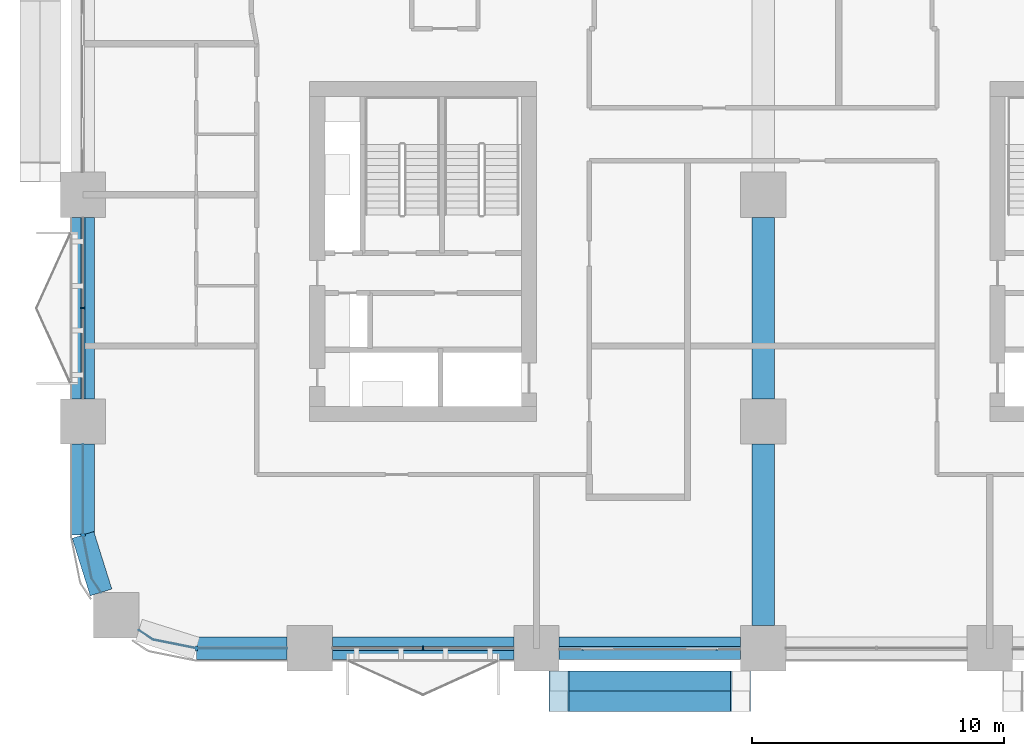
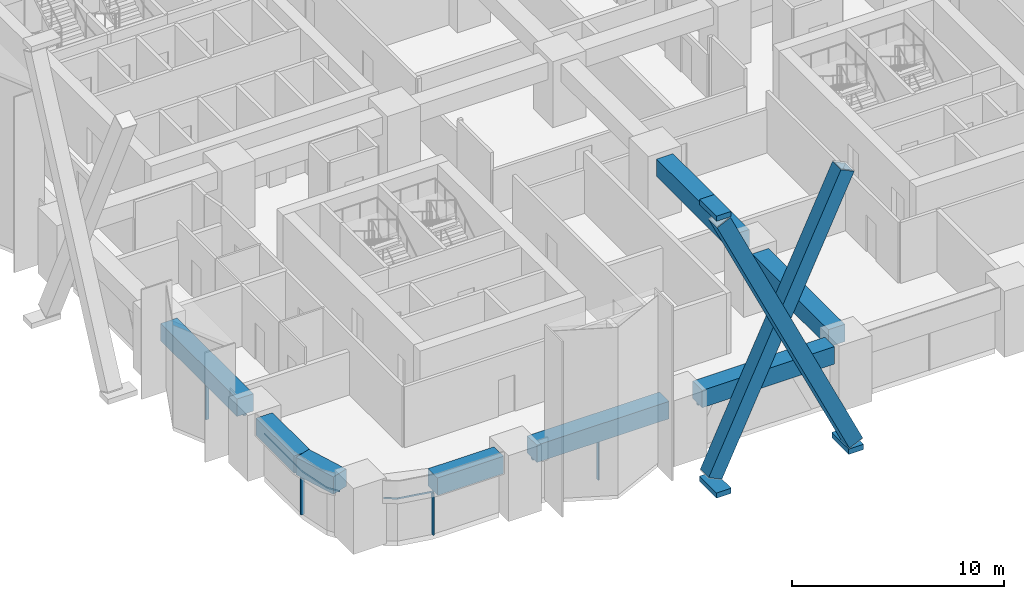
# One storey, part 2 of 23: 14 members, 8 beams, 5 elements without a shape of their own.
"""IFC4 building model written with IfcOpenShell, lengths in metres."""

from ifc_helpers import new_model, si_unit, direction, frame, origin, origin_2d, place, context, subcontext, project, spatial, polyline, rectangle, hollow_rectangle, outline, extrude, material, layer, layer_set, material_profile, profile_set, type_object, element, aggregate, save


model = new_model("IFC4")

# Units and contexts
model_context = context("Model", 3, precision=1e-05, world=origin(), true_north=direction((0.0, 1.0)))
body_context = subcontext(model_context, "Body", "Model", "MODEL_VIEW")
ifc_project = project(units=[si_unit("LENGTHUNIT", "METRE"), si_unit("AREAUNIT", "SQUARE_METRE"), si_unit("VOLUMEUNIT", "CUBIC_METRE"), si_unit("PLANEANGLEUNIT", "RADIAN"), si_unit("MASSUNIT", "GRAM", prefix="KILO")], contexts=[model_context])

# Site, building, storey
site_placement = place(None, origin())
site = spatial("IfcSite", under=ifc_project, at=site_placement, CompositionType="ELEMENT")
building_placement = place(site_placement, origin())
building = spatial("IfcBuilding", under=site, at=building_placement, Name="Tessera Arch", CompositionType="ELEMENT")
storey_placement = place(building_placement, frame((0.0, 0.0, 46.199951171875)))
storey = spatial("IfcBuildingStorey", under=building, at=storey_placement, Name="L09", CompositionType="ELEMENT", Elevation=46.199951171875)

# Members
ifc_material_1 = material(Name="Steel A572 Gr50", Category="steel")
ifc_material_profile_1 = material_profile(ifc_material_1, hollow_rectangle(XDim=0.800048828125, YDim=0.800048828125, WallThickness=0.06005859375, at=origin_2d()), Name="BOX 800x800x60")
ifc_profile_set_1 = profile_set([ifc_material_profile_1], Name="Steel A572 Gr50")
member_type_1 = type_object("IfcMemberType", Name="Brace BOX 800x800x60 Steel A572 Gr50", PredefinedType="BRACE", material=ifc_profile_set_1)
for number, where, z_axis, x_axis, name in (
    (1, (18.89990234375, -1.300048828125, -0.800048828125), (0.428091336491, 0.0, 0.903735474363), (0.0, 1.0, 0.0), "Brace S0.0-1 A L09-L12"),
    (2, (26.10009765625, -2.10009765625, -0.800048828125), (-0.428091336491, 0.0, 0.903735474363), (0.0, -1.0, 0.0), "Brace S0.0-1 B L09-L12"),
):
    element("IfcMember", number, at=place(storey_placement, frame(where, z_axis=z_axis, x_axis=x_axis)), inside=storey, type_object=member_type_1, Name=name, PredefinedType="BRACE", context=body_context, shape_type="SweptSolid", body=[
        extrude(hollow_rectangle(XDim=0.800048828125, YDim=0.800048828125, WallThickness=0.06005859375, at=origin_2d()), origin(), (0.0, 0.0, 1.0), 16.8193359375),
    ])

# Curtain wall, member
ifc_material_2 = material(Name="CW1 curtain wall")
curtain_wall_type_1 = type_object("IfcCurtainWallType", Name="CW1 curtain wall", PredefinedType="NOTDEFINED", material=ifc_material_2)
curtain_wall_1_placement = place(storey_placement, origin())
curtain_wall_1 = element("IfcCurtainWall", 3, at=curtain_wall_1_placement, inside=storey, type_object=curtain_wall_type_1, Name="CW1 curtain wall S0.0/0 L09", PredefinedType="NOTDEFINED")
ifc_material_3 = material(Name="Anodised aluminium pale metal", Category="aluminium")
ifc_material_profile_2 = material_profile(ifc_material_3, rectangle(XDim=0.159912109375, YDim=0.06005859375, at=origin_2d()), Name="AL 60x160")
ifc_profile_set_2 = profile_set([ifc_material_profile_2], Name="Anodised aluminium pale metal")
member_type_2 = type_object("IfcMemberType", Name="CW1 mullion", PredefinedType="MULLION", material=ifc_profile_set_2)
member_1_placement = place(storey_placement, frame((13.5, 0.0, 0.0), z_axis=(0.0, 0.0, 1.0), x_axis=(0.0, 1.0, 0.0)))
member_1 = element("IfcMember", 4, at=member_1_placement, type_object=member_type_2, Name="CW1 mullion S0.0/0 1", PredefinedType="MULLION", context=body_context, shape_type="SweptSolid", body=[
    extrude(rectangle(XDim=0.159912109375, YDim=0.06005859375, at=origin_2d()), origin(), (0.0, 0.0, 1.0), 2.400146484375),
])

curtain_wall_2_placement = place(storey_placement, origin())
curtain_wall_2 = element("IfcCurtainWall", 5, at=curtain_wall_2_placement, inside=storey, type_object=curtain_wall_type_1, Name="CW1 curtain wall W0.0/4 L09", PredefinedType="NOTDEFINED")
member_2_placement = place(storey_placement, frame((0.0, 13.5, 0.0), z_axis=(0.0, 0.0, 1.0), x_axis=(1.0, 0.0, 0.0)))
member_2 = element("IfcMember", 6, at=member_2_placement, type_object=member_type_2, Name="CW1 mullion W0.0/4 1", PredefinedType="MULLION", context=body_context, shape_type="SweptSolid", body=[
    extrude(rectangle(XDim=0.159912109375, YDim=0.06005859375, at=origin_2d()), origin(), (0.0, 0.0, 1.0), 2.400146484375),
])

# Member
ifc_material_4 = material(Name="Anodised aluminium pale metal", Category="aluminium")
ifc_material_profile_3 = material_profile(ifc_material_4, rectangle(XDim=0.159912109375, YDim=0.10009765625, at=origin_2d()), Name="AL 160x100")
ifc_profile_set_3 = profile_set([ifc_material_profile_3], Name="Anodised aluminium pale metal")
member_type_3 = type_object("IfcMemberType", Name="CW1 transom", PredefinedType="USERDEFINED", material=ifc_profile_set_3)
member_3_placement = place(storey_placement, frame((9.89990234375, 0.0, 2.449951171875), z_axis=(1.0, 0.0, 0.0), x_axis=(0.0, 1.0, 0.0)))
member_3 = element("IfcMember", 7, at=member_3_placement, type_object=member_type_3, Name="CW1 transom S0.0/0 1.1", ObjectType="TRANSOM", PredefinedType="USERDEFINED", context=body_context, shape_type="SweptSolid", body=[
    extrude(rectangle(XDim=0.159912109375, YDim=0.10009765625, at=origin_2d()), origin(), (0.0, 0.0, 1.0), 7.2001953125),
])

aggregate(curtain_wall_1, [member_1, member_3])

member_4_placement = place(storey_placement, frame((0.0, 17.10009765625, 2.449951171875), z_axis=(0.0, -1.0, 0.0), x_axis=(1.0, 0.0, 0.0)))
member_4 = element("IfcMember", 8, at=member_4_placement, type_object=member_type_3, Name="CW1 transom W0.0/4 1.1", ObjectType="TRANSOM", PredefinedType="USERDEFINED", context=body_context, shape_type="SweptSolid", body=[
    extrude(rectangle(XDim=0.159912109375, YDim=0.10009765625, at=origin_2d()), origin(), (0.0, 0.0, 1.0), 7.2001953125),
])

aggregate(curtain_wall_2, [member_2, member_4])

# Curtain wall, member
ifc_material_5 = material(Name="CW2 curtain wall")
curtain_wall_type_2 = type_object("IfcCurtainWallType", Name="CW2 curtain wall", PredefinedType="NOTDEFINED", material=ifc_material_5)
curtain_wall_3_placement = place(storey_placement, origin())
curtain_wall_3 = element("IfcCurtainWall", 9, at=curtain_wall_3_placement, inside=storey, type_object=curtain_wall_type_2, Name="CW2 curtain wall W0.0/5 L09", PredefinedType="NOTDEFINED")
ifc_material_6 = material(Name="Anodised aluminium pale metal", Category="aluminium")
ifc_material_profile_4 = material_profile(ifc_material_6, rectangle(XDim=0.199951171875, YDim=0.080078125, at=origin_2d()), Name="AL 80x200")
ifc_profile_set_4 = profile_set([ifc_material_profile_4], Name="Anodised aluminium pale metal")
member_type_4 = type_object("IfcMemberType", Name="CW2 mullion", PredefinedType="MULLION", material=ifc_profile_set_4)
member_5_placement = place(storey_placement, frame((0.0, 4.5, 0.0), z_axis=(0.0, 0.0, 1.0), x_axis=(1.0, 0.0, 0.0)))
member_5 = element("IfcMember", 10, at=member_5_placement, type_object=member_type_4, Name="CW2 mullion W0.0/5 1", PredefinedType="MULLION", context=body_context, shape_type="SweptSolid", body=[
    extrude(rectangle(XDim=0.199951171875, YDim=0.080078125, at=origin_2d()), origin(), (0.0, 0.0, 1.0), 2.400146484375),
])

curtain_wall_4_placement = place(storey_placement, origin())
curtain_wall_4 = element("IfcCurtainWall", 11, at=curtain_wall_4_placement, inside=storey, type_object=curtain_wall_type_2, Name="CW2 curtain wall S0.0/5 L09", PredefinedType="NOTDEFINED")
member_6_placement = place(storey_placement, frame((4.5, 0.0, 0.0), z_axis=(0.0, 0.0, 1.0), x_axis=(0.0, 1.0, 0.0)))
member_6 = element("IfcMember", 12, at=member_6_placement, type_object=member_type_4, Name="CW2 mullion S0.0/5 1", PredefinedType="MULLION", context=body_context, shape_type="SweptSolid", body=[
    extrude(rectangle(XDim=0.199951171875, YDim=0.080078125, at=origin_2d()), origin(), (0.0, 0.0, 1.0), 2.400146484375),
])

# Member
ifc_material_7 = material(Name="Anodised aluminium pale metal", Category="aluminium")
ifc_material_profile_5 = material_profile(ifc_material_7, rectangle(XDim=0.199951171875, YDim=0.10009765625, at=origin_2d()), Name="AL 200x100")
ifc_profile_set_5 = profile_set([ifc_material_profile_5], Name="Anodised aluminium pale metal")
member_type_5 = type_object("IfcMemberType", Name="CW2 transom", PredefinedType="USERDEFINED", material=ifc_profile_set_5)
member_7_placement = place(storey_placement, frame((0.0, 0.0, 2.400146484375)))
member_7 = element("IfcMember", 13, at=member_7_placement, type_object=member_type_5, Name="CW2 transom W0.0/5 1", ObjectType="TRANSOM", PredefinedType="USERDEFINED", context=body_context, shape_type="SweptSolid", body=[
    extrude(outline(polyline([(0.010009765625, 4.5009765625), (0.010009765625, 8.10009765625), (-0.010009765625, 8.10009765625), (-0.010009765625, 4.4990234375), (0.3330078125, 2.77392578125), (0.70849609375, 2.21240234375), (0.72509765625, 2.2236328125), (0.351806640625, 2.78173828125), (0.010009765625, 4.5009765625)])), origin(), (0.0, 0.0, 1.0), 0.099853515625),
])

aggregate(curtain_wall_3, [member_5, member_7])

member_8_placement = place(storey_placement, frame((0.0, 0.0, 2.400146484375)))
member_8 = element("IfcMember", 14, at=member_8_placement, type_object=member_type_5, Name="CW2 transom S0.0/5 1", ObjectType="TRANSOM", PredefinedType="USERDEFINED", context=body_context, shape_type="SweptSolid", body=[
    extrude(outline(polyline([(2.78173828125, 0.351806640625), (2.2236328125, 0.72509765625), (2.21240234375, 0.70849609375), (2.77392578125, 0.3330078125), (4.4990234375, -0.010009765625), (8.10009765625, -0.010009765625), (8.10009765625, 0.010009765625), (4.5009765625, 0.010009765625), (2.78173828125, 0.351806640625)])), origin(), (0.0, 0.0, 1.0), 0.099853515625),
])

aggregate(curtain_wall_4, [member_6, member_8])

# Curtain wall, member
ifc_material_8 = material(Name="CW3 curtain wall")
curtain_wall_type_3 = type_object("IfcCurtainWallType", Name="CW3 curtain wall", PredefinedType="NOTDEFINED", material=ifc_material_8)
curtain_wall_5_placement = place(storey_placement, origin())
curtain_wall_5 = element("IfcCurtainWall", 15, at=curtain_wall_5_placement, inside=storey, type_object=curtain_wall_type_3, Name="CW3 curtain wall S0.0/1 L09", PredefinedType="NOTDEFINED")
ifc_material_9 = material(Name="Anodised aluminium pale metal", Category="aluminium")
ifc_material_profile_6 = material_profile(ifc_material_9, rectangle(XDim=0.139892578125, YDim=0.10009765625, at=origin_2d()), Name="AL 140x100")
ifc_profile_set_6 = profile_set([ifc_material_profile_6], Name="Anodised aluminium pale metal")
member_type_6 = type_object("IfcMemberType", Name="CW3 transom", PredefinedType="USERDEFINED", material=ifc_profile_set_6)
member_9_placement = place(storey_placement, frame((18.89990234375, 0.0, 2.449951171875), z_axis=(1.0, 0.0, 0.0), x_axis=(0.0, 1.0, 0.0)))
member_9 = element("IfcMember", 16, at=member_9_placement, type_object=member_type_6, Name="CW3 transom S0.0/1 1.1", ObjectType="TRANSOM", PredefinedType="USERDEFINED", context=body_context, shape_type="SweptSolid", body=[
    extrude(rectangle(XDim=0.139892578125, YDim=0.10009765625, at=origin_2d()), origin(), (0.0, 0.0, 1.0), 7.2001953125),
])
aggregate(curtain_wall_5, [member_9])

# Members
ifc_material_10 = material(Name="Steel A572 Gr50", Category="steel")
ifc_layer = layer(ifc_material_10, 0.050048828125)
ifc_layer_set = layer_set([ifc_layer], Name="Node block Steel A572 Gr50")
member_type_7 = type_object("IfcMemberType", Name="Node block Steel A572 Gr50", PredefinedType="PLATE", material=ifc_layer_set)
for number, where, z_axis, x_axis, name in (
    (17, (26.10009765625, -1.699951171875, -1.31640625), (0.0, 0.0, 1.0), (1.0, 0.0, 0.0), "Node block seat S0.0-1 1 L09"),
    (18, (18.89990234375, -1.699951171875, -1.31640625), (0.0, 0.0, 1.0), (1.0, 0.0, 0.0), "Node block seat S0.0-1 2 L09"),
    (19, (18.89990234375, -1.699951171875, 14.6162109375), (0.0, 0.0, 1.0), (1.0, 0.0, 0.0), "Node block head S0.0-1 B L09"),
):
    element("IfcMember", number, at=place(storey_placement, frame(where, z_axis=z_axis, x_axis=x_axis)), inside=storey, type_object=member_type_7, Name=name, PredefinedType="PLATE", context=body_context, shape_type="SweptSolid", body=[
        extrude(rectangle(XDim=0.800048828125, YDim=1.60009765625, at=origin_2d()), origin(), (0.0, 0.0, 1.0), 0.300048828125),
    ])

# Beams
ifc_material_11 = material(Name="Concrete C80/95", Category="concrete")
ifc_material_profile_7 = material_profile(ifc_material_11, rectangle(XDim=0.89990234375, YDim=1.0, at=origin_2d()), Name="RC spandrel beam 900 x 1000 Concrete C80/95")
ifc_profile_set_7 = profile_set([ifc_material_profile_7], Name="Concrete C80/95")
beam_type = type_object("IfcBeamType", Name="RC spandrel beam 900 x 1000 Concrete C80/95", PredefinedType="BEAM", material=ifc_profile_set_7)
for number, where, z_axis, x_axis, name in (
    (20, (9.89990234375, 0.0, 3.0), (1.0, 0.0, 0.0), (0.0, 1.0, 0.0), "Spandrel beam L09 S0.0/0"),
    (21, (18.89990234375, 0.0, 3.0), (1.0, 0.0, 0.0), (0.0, 1.0, 0.0), "Spandrel beam L09 S0.0/1"),
    (22, (0.0, 17.10009765625, 3.0), (0.0, -1.0, 0.0), (1.0, 0.0, 0.0), "Spandrel beam L09 W0.0/4"),
):
    element("IfcBeam", number, at=place(storey_placement, frame(where, z_axis=z_axis, x_axis=x_axis)), inside=storey, type_object=beam_type, Name=name, PredefinedType="BEAM", context=body_context, shape_type="SweptSolid", body=[
        extrude(rectangle(XDim=0.89990234375, YDim=1.0, at=origin_2d()), origin(), (0.0, 0.0, 1.0), 7.2001953125),
    ])
beam_1_placement = place(storey_placement, frame((0.0, 8.10009765625, 3.0), z_axis=(0.0, -1.0, 0.0), x_axis=(1.0, 0.0, 0.0)))
element("IfcBeam", 23, at=beam_1_placement, inside=storey, type_object=beam_type, Name="Spandrel beam L09 W0.0/5.1", PredefinedType="BEAM", context=body_context, shape_type="SweptSolid", body=[
    extrude(rectangle(XDim=0.89990234375, YDim=1.0, at=origin_2d()), origin(), (0.0, 0.0, 1.0), 3.60009765625),
])
beam_2_placement = place(storey_placement, frame((0.0, 4.5, 3.0), z_axis=(0.299675309057, -0.954041251279, 0.0), x_axis=(0.954041251279, 0.299675309057, 0.0)))
element("IfcBeam", 24, at=beam_2_placement, inside=storey, type_object=beam_type, Name="Spandrel beam L09 W0.0/5.2", PredefinedType="BEAM", context=body_context, shape_type="SweptSolid", body=[
    extrude(rectangle(XDim=0.89990234375, YDim=1.0, at=origin_2d()), origin(), (0.0, 0.0, 1.0), 2.391845703125),
])
beam_3_placement = place(storey_placement, frame((4.5, 0.0, 3.0), z_axis=(1.0, 0.0, 0.0), x_axis=(0.0, 1.0, 0.0)))
element("IfcBeam", 25, at=beam_3_placement, inside=storey, type_object=beam_type, Name="Spandrel beam L09 S0.0/5.2", PredefinedType="BEAM", context=body_context, shape_type="SweptSolid", body=[
    extrude(rectangle(XDim=0.89990234375, YDim=1.0, at=origin_2d()), origin(), (0.0, 0.0, 1.0), 3.60009765625),
])
for number, where, z_axis, x_axis, name in (
    (26, (27.0, 0.89990234375, 3.0), (0.0, 1.0, 0.0), (-1.0, 0.0, 0.0), "Interface beam L09 I0C4A-C4B"),
    (27, (27.0, 9.89990234375, 3.0), (0.0, 1.0, 0.0), (-1.0, 0.0, 0.0), "Interface beam L09 I0C4B-C4C"),
):
    element("IfcBeam", number, at=place(storey_placement, frame(where, z_axis=z_axis, x_axis=x_axis)), inside=storey, type_object=beam_type, Name=name, PredefinedType="BEAM", context=body_context, shape_type="SweptSolid", body=[
        extrude(rectangle(XDim=0.89990234375, YDim=1.0, at=origin_2d()), origin(), (0.0, 0.0, 1.0), 7.2001953125),
    ])

save(model, "model.ifc")
